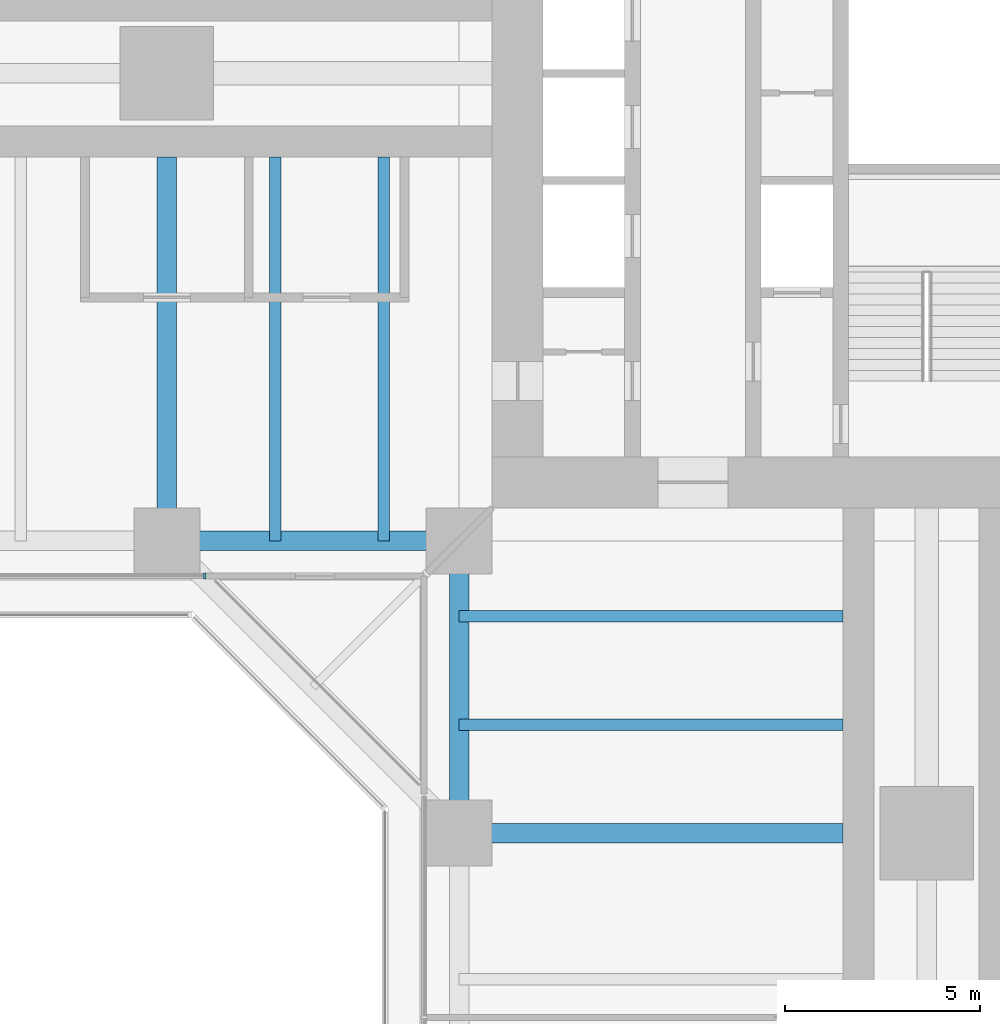
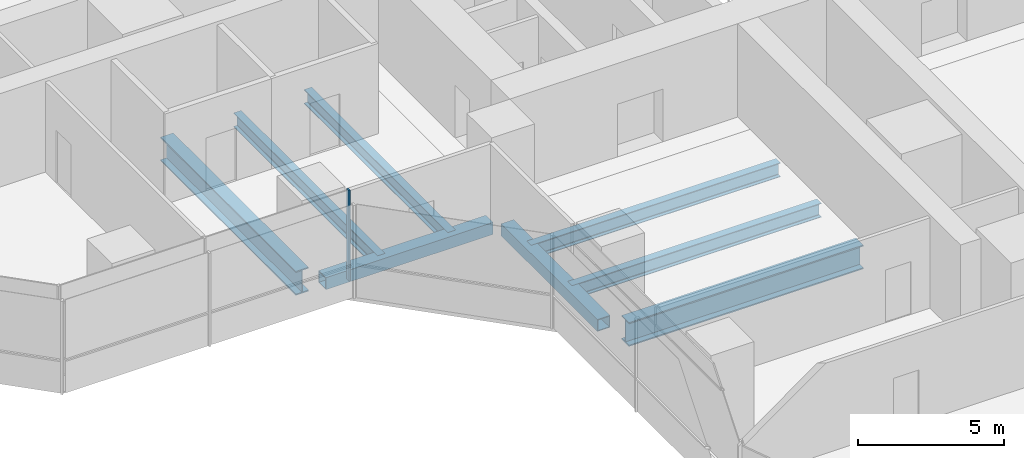
# One storey, part 4 of 22: 8 beams, 1 member, 1 element without a shape of its own.
"""IFC4 building model written with IfcOpenShell, lengths in metres."""

import ifcopenshell
import ifcopenshell.guid

model = None  # the IFC model being written
_history = None  # IfcOwnerHistory: only IFC2X3 demands one
_inside = {}  # id of a spatial element -> (the spatial element, [elements in it])
_under = {}  # id of a project, library or spatial element -> (it, [spatial elements below it])
_declared = {}  # id of a project -> (the project, [libraries it declares])
_typed = {}  # id of a type object -> (the type object, [elements of that type])
_made_of = {}  # id of a material, layer set ... -> (it, [elements and type objects made of it])


def new_model(schema):
    """Start an empty IFC model of exactly this schema.

    Asked for "IFC4X3", IfcOpenShell would pick the latest addendum, in which some entities
    have other attributes; the version numbers below select the first issue.
    IFC2X3 requires an IfcOwnerHistory on every rooted entity: one is made here for all.
    """
    global model, _history
    if schema == "IFC4X3":
        model = ifcopenshell.file(schema_version=(4, 3, 0, 0))
    else:
        model = ifcopenshell.file(schema=schema)
    _inside.clear()
    _under.clear()
    _declared.clear()
    _typed.clear()
    _made_of.clear()
    _history = None
    if model.schema == "IFC2X3":
        org = make("IfcOrganization", Name="unknown")
        user = make(
            "IfcPersonAndOrganization",
            ThePerson=make("IfcPerson", FamilyName="unknown"),
            TheOrganization=org,
        )
        app = make(
            "IfcApplication",
            ApplicationDeveloper=org,
            Version="unknown",
            ApplicationFullName="unknown",
            ApplicationIdentifier="unknown",
        )
        _history = make(
            "IfcOwnerHistory",
            OwningUser=user,
            OwningApplication=app,
            ChangeAction="ADDED",
            CreationDate=0,
        )
    return model


def make(cls, **values):
    """One entity of the class cls with the attributes given. An attribute that is None is left unset."""
    return model.create_entity(
        cls, **{name: value for name, value in values.items() if value is not None}
    )


def rooted(cls, **values):
    """An entity with a GlobalId (a new one), such as an element, a storey or a relation."""
    return make(cls, GlobalId=ifcopenshell.guid.new(), OwnerHistory=_history, **values)


def si_unit(unit_type, name, prefix=None):
    """IfcSIUnit, for example si_unit("LENGTHUNIT", "METRE", prefix="MILLI")."""
    return make("IfcSIUnit", UnitType=unit_type, Prefix=prefix, Name=name)


def assignment(units):
    """IfcUnitAssignment: the units of a project."""
    return None if units is None else make("IfcUnitAssignment", Units=units)


def point(xyz):
    """IfcCartesianPoint."""
    return None if xyz is None else make("IfcCartesianPoint", Coordinates=xyz)


def direction(xyz):
    """IfcDirection."""
    return None if xyz is None else make("IfcDirection", DirectionRatios=xyz)


def frame(location, z_axis=None, x_axis=None):
    """IfcAxis2Placement3D, a coordinate frame: its origin and axes. An axis left out is left unset."""
    return make(
        "IfcAxis2Placement3D",
        Location=point(location),
        Axis=direction(z_axis),
        RefDirection=direction(x_axis),
    )


def frame_2d(location, x_axis=None):
    """IfcAxis2Placement2D, a coordinate frame in the plane: its origin and x axis."""
    return make(
        "IfcAxis2Placement2D", Location=point(location), RefDirection=direction(x_axis)
    )


def origin():
    """The frame at (0, 0, 0) with its axes left unset."""
    return frame((0.0, 0.0, 0.0))


def origin_2d():
    """The frame at (0, 0) in the plane with its x axis left unset."""
    return frame_2d((0.0, 0.0))


def place(relative_to, where):
    """IfcLocalPlacement: puts the frame where relative to a parent placement (None: the world)."""
    return make(
        "IfcLocalPlacement", PlacementRelTo=relative_to, RelativePlacement=where
    )


def context(
    kind, dimensions, precision=None, world=None, true_north=None, identifier=None
):
    """IfcGeometricRepresentationContext, for example the 3D "Model" context."""
    return make(
        "IfcGeometricRepresentationContext",
        ContextIdentifier=identifier,
        ContextType=kind,
        CoordinateSpaceDimension=dimensions,
        Precision=precision,
        WorldCoordinateSystem=world,
        TrueNorth=true_north,
    )


def subcontext(parent, identifier, kind, view, scale=None):
    """IfcGeometricRepresentationSubContext, for example "Body" below "Model"."""
    return make(
        "IfcGeometricRepresentationSubContext",
        ContextIdentifier=identifier,
        ContextType=kind,
        ParentContext=parent,
        TargetScale=scale,
        TargetView=view,
    )


def project(units=None, contexts=None):
    """IfcProject with its units and contexts."""
    return rooted(
        "IfcProject",
        Name="project",
        RepresentationContexts=contexts,
        UnitsInContext=assignment(units),
    )


def spatial(cls, under=None, at=None, **own):
    """A site, building, storey or space (cls), placed at a placement, below another one or the project."""
    s = rooted(cls, ObjectPlacement=at, **own)
    if under is not None:
        _under.setdefault(under.id(), (under, []))[1].append(s)
    return s


def profile(cls, at=None, kind="AREA", **sizes):
    """A parametric profile (cls). Its sizes go by their IFC names, for example OverallWidth=200.0."""
    return make(cls, ProfileType=kind, Position=at, **sizes)


def rectangle(**sizes):
    """IfcRectangleProfileDef."""
    return profile("IfcRectangleProfileDef", **sizes)


def hollow_rectangle(**sizes):
    """IfcRectangleHollowProfileDef."""
    return profile("IfcRectangleHollowProfileDef", **sizes)


def i_section(**sizes):
    """IfcIShapeProfileDef."""
    return profile("IfcIShapeProfileDef", **sizes)


def extrude(swept, where, along, depth):
    """IfcExtrudedAreaSolid: the profile swept, set in the frame where, extruded along a direction by depth."""
    return make(
        "IfcExtrudedAreaSolid",
        SweptArea=swept,
        Position=where,
        ExtrudedDirection=direction(along),
        Depth=depth,
    )


def shape(context_of_items, identifier, shape_type, items):
    """IfcShapeRepresentation: the items that make up one representation, for example the "Body"."""
    return make(
        "IfcShapeRepresentation",
        ContextOfItems=context_of_items,
        RepresentationIdentifier=identifier,
        RepresentationType=shape_type,
        Items=items,
    )


def material(Name=None, Category=None):
    """IfcMaterial."""
    return make("IfcMaterial", Name=Name, Category=Category)


def material_profile(
    of_material, cross_section, Name=None, Category=None, Priority=None
):
    """IfcMaterialProfile: a cross section and its material."""
    return make(
        "IfcMaterialProfile",
        Name=Name,
        Material=of_material,
        Profile=cross_section,
        Priority=Priority,
        Category=Category,
    )


def profile_set(profiles, Name=None, composite=None):
    """IfcMaterialProfileSet."""
    return make(
        "IfcMaterialProfileSet",
        Name=Name,
        MaterialProfiles=profiles,
        CompositeProfile=composite,
    )


def made_of(thing, what):
    """Note that an element or type object is made of a material, layer set ...; save() writes the relation."""
    if what is not None:
        _made_of.setdefault(what.id(), (what, []))[1].append(thing)
    return thing


def type_object(cls, material=None, **own):
    """A type object (cls), such as IfcWallType, which elements share."""
    return made_of(rooted(cls, **own), material)


def element(
    cls,
    number,
    at=None,
    inside=None,
    cuts=None,
    type_object=None,
    material=None,
    context=None,
    identifier="Body",
    shape_type=None,
    held_by="IfcProductDefinitionShape",
    body=None,
    shapes=None,
    **own,
):
    """One element of the class cls, such as IfcWall. Its Tag is "e" and its number.

    at: its placement. inside: the storey or other place that contains it. cuts: it is an
    opening in that element (IfcRelVoidsElement). A single representation is given by context,
    identifier, shape_type and body (its items); several are given by shapes. held_by: the class
    of the entity that holds the representations. save() writes the other relations.
    """
    e = rooted(cls, Tag="e%d" % number, ObjectPlacement=at, **own)
    if body is not None:
        shapes = [shape(context, identifier, shape_type, body)]
    if shapes is not None:
        e.Representation = make(held_by, Representations=shapes)
    if inside is not None:
        _inside.setdefault(inside.id(), (inside, []))[1].append(e)
    if cuts is not None:
        rooted(
            "IfcRelVoidsElement", RelatingBuildingElement=cuts, RelatedOpeningElement=e
        )
    if type_object is not None:
        _typed.setdefault(type_object.id(), (type_object, []))[1].append(e)
    return made_of(e, material)


def aggregate(whole, parts):
    """IfcRelAggregates: a whole, such as a stair, and the parts it consists of."""
    return rooted("IfcRelAggregates", RelatingObject=whole, RelatedObjects=parts)


def save(model, path):
    """Write the relations noted so far, then the file.

    IfcRelAggregates (storeys below a building ...), IfcRelContainedInSpatialStructure (elements
    in a storey), IfcRelDefinesByType, IfcRelAssociatesMaterial and IfcRelDeclares: one each for
    every whole, place, type object, material and project.
    """
    for whole, parts in _under.values():
        aggregate(whole, parts)
    for where, things in _inside.values():
        rooted(
            "IfcRelContainedInSpatialStructure",
            RelatedElements=things,
            RelatingStructure=where,
        )
    for kind, things in _typed.values():
        rooted("IfcRelDefinesByType", RelatedObjects=things, RelatingType=kind)
    for what, things in _made_of.values():
        rooted("IfcRelAssociatesMaterial", RelatedObjects=things, RelatingMaterial=what)
    for by, libraries in _declared.values():
        rooted("IfcRelDeclares", RelatingContext=by, RelatedDefinitions=libraries)
    model.write(path)


model = new_model("IFC4")

# Units and contexts
model_context = context("Model", 3, precision=1e-05, world=origin(), true_north=direction((0.0, 1.0)))
body_context = subcontext(model_context, "Body", "Model", "MODEL_VIEW")
ifc_project = project(units=[si_unit("LENGTHUNIT", "METRE"), si_unit("AREAUNIT", "SQUARE_METRE"), si_unit("VOLUMEUNIT", "CUBIC_METRE"), si_unit("PLANEANGLEUNIT", "RADIAN"), si_unit("MASSUNIT", "GRAM", prefix="KILO")], contexts=[model_context])

# Site, building, storey
site_placement = place(None, origin())
site = spatial("IfcSite", under=ifc_project, at=site_placement, CompositionType="ELEMENT")
building_placement = place(site_placement, origin())
building = spatial("IfcBuilding", under=site, at=building_placement, Name="Mizan Broadcast Tower", CompositionType="ELEMENT")
storey_placement = place(building_placement, frame((0.0, 0.0, 59.10009765625)))
storey = spatial("IfcBuildingStorey", under=building, at=storey_placement, Name="L11", CompositionType="ELEMENT", Elevation=59.10009765625)

# Beams
ifc_material_1 = material(Name="Steel S355", Category="steel")
ifc_material_profile_1 = material_profile(ifc_material_1, hollow_rectangle(XDim=0.5, YDim=0.5, WallThickness=0.030029296875, at=origin_2d()), Name="BOX 500x500x30")
ifc_profile_set_1 = profile_set([ifc_material_profile_1], Name="Steel S355")
beam_type_1 = type_object("IfcBeamType", Name="EDGE BEAM BOX 500x500x30", PredefinedType="SPANDREL", material=ifc_profile_set_1)
for number, where, z_axis, x_axis, name in (
    (1, (-12.449951171875, -12.0, -0.380126953125), (-1.0, 0.0, 0.0), (0.0, -1.0, 0.0), "Edge beam BOX 500x500x30 L11 west arm"),
    (2, (-12.0, -12.449951171875, -0.380126953125), (0.0, -1.0, 0.0), (1.0, 0.0, 0.0), "Edge beam BOX 500x500x30 L11 south arm"),
):
    element("IfcBeam", number, at=place(storey_placement, frame(where, z_axis=z_axis, x_axis=x_axis)), inside=storey, type_object=beam_type_1, Name=name, PredefinedType="SPANDREL", context=body_context, shape_type="SweptSolid", body=[
        extrude(hollow_rectangle(XDim=0.5, YDim=0.5, WallThickness=0.030029296875, at=origin_2d()), origin(), (0.0, 0.0, 1.0), 6.60009765625),
    ])
ifc_material_2 = material(Name="Steel S460", Category="steel")
ifc_material_profile_2 = material_profile(ifc_material_2, i_section(OverallWidth=0.5, OverallDepth=1.0, WebThickness=0.02490234375, FlangeThickness=0.050048828125, at=origin_2d()), Name="WPG 1000x500")
ifc_profile_set_2 = profile_set([ifc_material_profile_2], Name="Steel S460")
beam_type_2 = type_object("IfcBeamType", Name="GIRDER WPG 1000x500", PredefinedType="BEAM", material=ifc_profile_set_2)
for number, where, z_axis, x_axis, name in (
    (3, (-19.5, -11.408935546875, -0.630126953125), (0.0, 1.0, 0.0), (-1.0, 0.0, 0.0), "Girder WPG 1000x500 L11 west arm"),
    (4, (-11.408935546875, -19.5, -0.630126953125), (1.0, 0.0, 0.0), (0.0, 1.0, 0.0), "Girder WPG 1000x500 L11 south arm"),
):
    element("IfcBeam", number, at=place(storey_placement, frame(where, z_axis=z_axis, x_axis=x_axis)), inside=storey, type_object=beam_type_2, Name=name, PredefinedType="BEAM", context=body_context, shape_type="SweptSolid", body=[
        extrude(i_section(OverallWidth=0.5, OverallDepth=1.0, WebThickness=0.02490234375, FlangeThickness=0.050048828125, at=origin_2d()), origin(), (0.0, 0.0, 1.0), 9.259033203125),
    ])

# Curtain wall, member
ifc_material_3 = material(Name="Aluminium framed glazing", Category="aluminium")
curtain_wall_type = type_object("IfcCurtainWallType", Name="INNER SKIN LOW ZONE", PredefinedType="USERDEFINED", material=ifc_material_3)
curtain_wall_placement = place(storey_placement, origin())
curtain_wall = element("IfcCurtainWall", 5, at=curtain_wall_placement, inside=storey, type_object=curtain_wall_type, Name="Inner skin low zone L11 W side", ObjectType="INNER SKIN LOW ZONE", PredefinedType="USERDEFINED")
ifc_material_4 = material(Name="Aluminium, pale anodised", Category="aluminium")
ifc_material_profile_3 = material_profile(ifc_material_4, rectangle(XDim=0.159912109375, YDim=0.06005859375, at=origin_2d()), Name="MULLION 160x60")
ifc_profile_set_3 = profile_set([ifc_material_profile_3], Name="Aluminium, pale anodised")
member_type = type_object("IfcMemberType", Name="INNER SKIN MULLION 60x160", PredefinedType="MULLION", material=ifc_profile_set_3)
member_placement = place(storey_placement, frame((-18.530029296875, -12.89990234375, 0.0), z_axis=(0.0, 0.0, 1.0), x_axis=(0.0, 1.0, 0.0)))
member = element("IfcMember", 6, at=member_placement, type_object=member_type, Name="Inner skin low zone L11 W side mullion 3", PredefinedType="MULLION", context=body_context, shape_type="SweptSolid", body=[
    extrude(rectangle(XDim=0.159912109375, YDim=0.06005859375, at=origin_2d()), origin(), (0.0, 0.0, 1.0), 3.77001953125),
])
aggregate(curtain_wall, [member])

# Beams
ifc_material_5 = material(Name="Steel S355", Category="steel")
ifc_material_profile_4 = material_profile(ifc_material_5, i_section(OverallWidth=0.300048828125, OverallDepth=0.590087890625, WebThickness=0.012939453125, FlangeThickness=0.02490234375, FilletRadius=0.027099609375, at=origin_2d()), Name="HEA 600")
ifc_profile_set_4 = profile_set([ifc_material_profile_4], Name="Steel S355")
beam_type_3 = type_object("IfcBeamType", Name="SECONDARY BEAM HEA 600", PredefinedType="JOIST", material=ifc_profile_set_4)
for number, where, z_axis, x_axis, name in (
    (7, (-13.933349609375, -12.0, -0.425048828125), (0.0, 1.0, 0.0), (-1.0, 0.0, 0.0), "Secondary beam HEA 600 L11 west arm"),
    (8, (-16.716552734375, -12.0, -0.425048828125), (0.0, 1.0, 0.0), (-1.0, 0.0, 0.0), "Secondary beam HEA 600 L11 west arm"),
    (9, (-12.0, -13.933349609375, -0.425048828125), (1.0, 0.0, 0.0), (0.0, 1.0, 0.0), "Secondary beam HEA 600 L11 south arm"),
    (10, (-12.0, -16.716552734375, -0.425048828125), (1.0, 0.0, 0.0), (0.0, 1.0, 0.0), "Secondary beam HEA 600 L11 south arm"),
):
    element("IfcBeam", number, at=place(storey_placement, frame(where, z_axis=z_axis, x_axis=x_axis)), inside=storey, type_object=beam_type_3, Name=name, PredefinedType="JOIST", context=body_context, shape_type="SweptSolid", body=[
        extrude(i_section(OverallWidth=0.300048828125, OverallDepth=0.590087890625, WebThickness=0.012939453125, FlangeThickness=0.02490234375, FilletRadius=0.027099609375, at=origin_2d()), origin(), (0.0, 0.0, 1.0), 9.85009765625),
    ])

save(model, "model.ifc")
